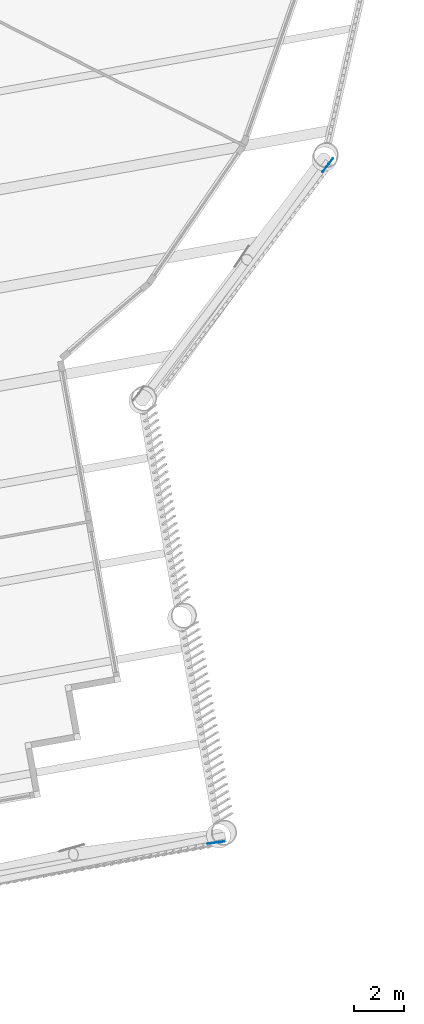
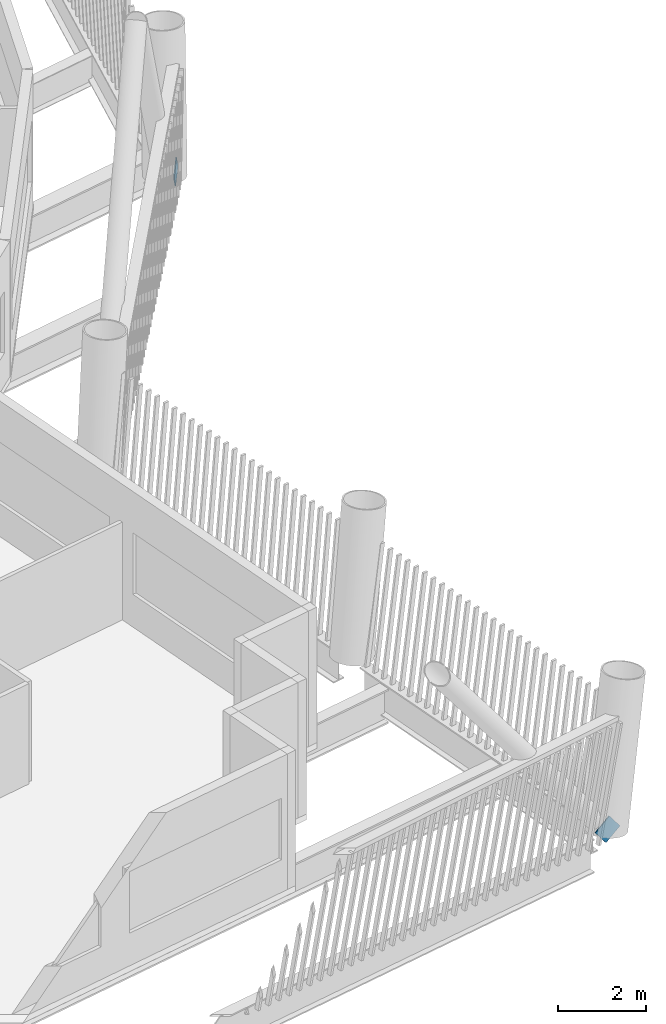
# One storey, part 13 of 22: 2 discrete accessories.
"""IFC4 building model written with IfcOpenShell, lengths in metres."""

from ifc_helpers import new_model, si_unit, direction, frame, origin, origin_2d, place, context, subcontext, project, spatial, rectangle, extrude, material, material_profile, profile_set, type_object, element, save


model = new_model("IFC4")

# Units and contexts
model_context = context("Model", 3, precision=1e-05, world=origin(), true_north=direction((0.0, 1.0)))
body_context = subcontext(model_context, "Body", "Model", "MODEL_VIEW")
ifc_project = project(units=[si_unit("LENGTHUNIT", "METRE"), si_unit("AREAUNIT", "SQUARE_METRE"), si_unit("VOLUMEUNIT", "CUBIC_METRE"), si_unit("PLANEANGLEUNIT", "RADIAN"), si_unit("MASSUNIT", "GRAM", prefix="KILO")], contexts=[model_context])

# Site, building, storey
site_placement = place(None, origin())
site = spatial("IfcSite", under=ifc_project, at=site_placement, CompositionType="ELEMENT")
building_placement = place(site_placement, origin())
building = spatial("IfcBuilding", under=site, at=building_placement, Name="Tarsis Ring Headquarters", CompositionType="ELEMENT")
storey_placement = place(building_placement, frame((0.0, 0.0, 270.800048828125)))
storey = spatial("IfcBuildingStorey", under=building, at=storey_placement, Name="L63", CompositionType="ELEMENT", Elevation=270.800048828125)

# Discrete accessories
ifc_material = material(Name="Structural steel S355", Category="steel")
ifc_material_profile = material_profile(ifc_material, rectangle(XDim=0.02490234375, YDim=0.5, at=origin_2d()), Name="PL 25x500")
ifc_profile_set = profile_set([ifc_material_profile], Name="Structural steel S355")
discrete_accessory_type = type_object("IfcDiscreteAccessoryType", Name="Gusset plate Exo brace 25", PredefinedType="BRACKET", material=ifc_profile_set)
discrete_accessory_1_placement = place(storey_placement, frame((22.124267578125, -39.7978515625, 0.0), z_axis=(-0.599359281242, -0.077667584122, 0.796703331464), x_axis=(0.128509868452, -0.991708230131, 0.0)))
element("IfcDiscreteAccessory", 1, at=discrete_accessory_1_placement, inside=storey, type_object=discrete_accessory_type, Name="Gusset plate GP5", PredefinedType="BRACKET", context=body_context, shape_type="SweptSolid", body=[
    extrude(rectangle(XDim=0.02490234375, YDim=0.5, at=origin_2d()), origin(), (0.0, 0.0, 1.0), 0.499755859375),
])
discrete_accessory_2_placement = place(storey_placement, frame((26.558837890625, -12.395263671875, 0.0), z_axis=(-0.332961891848, -0.437439670229, 0.835334013127), x_axis=(0.79571703966, -0.605668550277, 0.0)))
element("IfcDiscreteAccessory", 2, at=discrete_accessory_2_placement, inside=storey, type_object=discrete_accessory_type, Name="Gusset plate GP5", PredefinedType="BRACKET", context=body_context, shape_type="SweptSolid", body=[
    extrude(rectangle(XDim=0.02490234375, YDim=0.5, at=origin_2d()), origin(), (0.0, 0.0, 1.0), 0.5),
])

save(model, "model.ifc")
